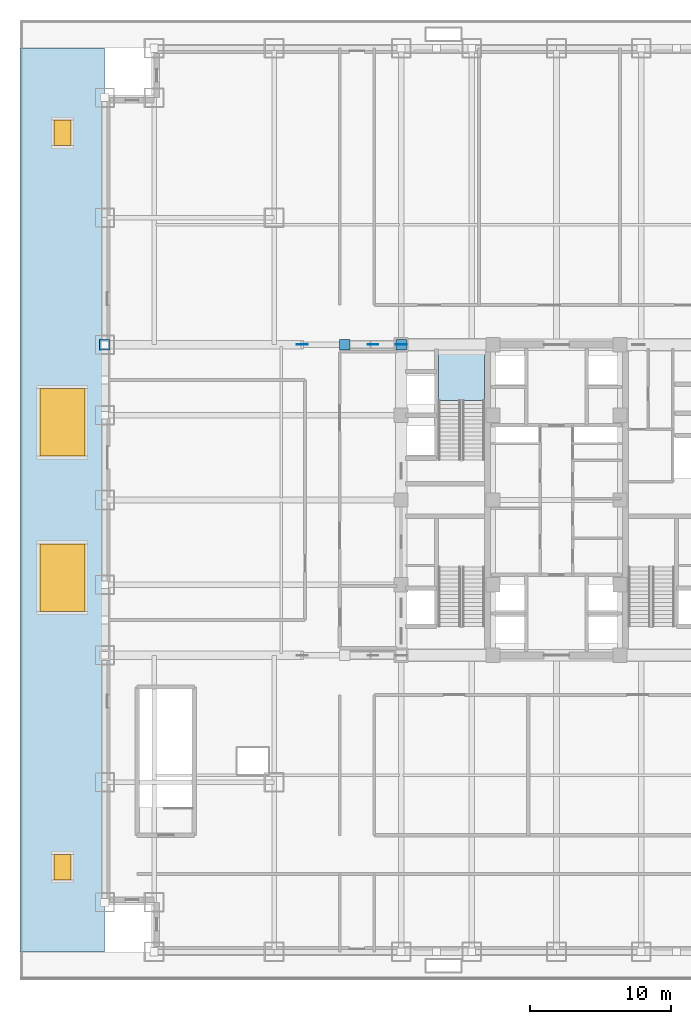
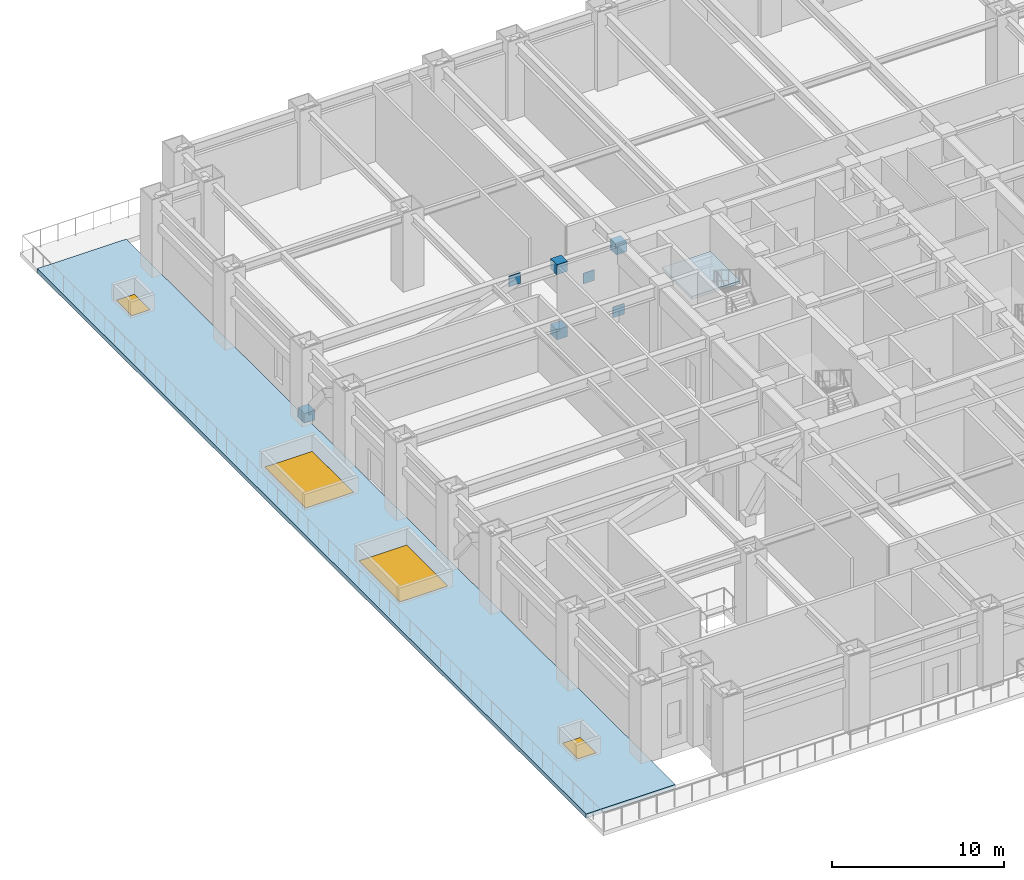
# One storey, part 7 of 21: 7 plates, 2 doors, 2 slabs, 2 windows, 4 openings, 1 element without a shape of its own.
"""IFC4 building model written with IfcOpenShell, lengths in metres."""

from ifc_helpers import new_model, si_unit, direction, frame, origin, origin_2d, place, context, subcontext, project, spatial, polyline, rectangle, outline, extrude, source, transform, mapped, material, layer, layer_set, type_object, element, fill, aggregate, save


model = new_model("IFC4")

# Units and contexts
model_context = context("Model", 3, precision=1e-05, world=origin(), true_north=direction((0.0, 1.0)))
body_context = subcontext(model_context, "Body", "Model", "MODEL_VIEW")
ifc_project = project(units=[si_unit("LENGTHUNIT", "METRE"), si_unit("AREAUNIT", "SQUARE_METRE"), si_unit("VOLUMEUNIT", "CUBIC_METRE"), si_unit("PLANEANGLEUNIT", "RADIAN"), si_unit("MASSUNIT", "GRAM", prefix="KILO")], contexts=[model_context])

# Site, building, storey
site_placement = place(None, origin())
site = spatial("IfcSite", under=ifc_project, at=site_placement, CompositionType="ELEMENT")
building_placement = place(site_placement, origin())
building = spatial("IfcBuilding", under=site, at=building_placement, Name="Khorayat Bourse Tower", CompositionType="ELEMENT")
storey_placement = place(building_placement, frame((0.0, 0.0, 27.0)))
storey = spatial("IfcBuildingStorey", under=building, at=storey_placement, Name="L05", CompositionType="ELEMENT", Elevation=27.0)

# Stair, slab
ifc_material_1 = material(Name="Concrete C40/50", Category="concrete")
stair_type = type_object("IfcStairType", Name="STR-CORE-1550", PredefinedType="HALF_TURN_STAIR", material=ifc_material_1)
stair_placement = place(storey_placement, origin())
stair = element("IfcStair", 1, at=stair_placement, inside=storey, type_object=stair_type, Name="L05 Exit Stair ST-2", PredefinedType="HALF_TURN_STAIR")
ifc_layer_1 = layer(ifc_material_1, 0.199951171875)
ifc_layer_set_1 = layer_set([ifc_layer_1], Name="Concrete C40/50")
slab_type_1 = type_object("IfcSlabType", Name="SLB-LANDING-200", PredefinedType="LANDING", material=ifc_layer_set_1)
slab_1_placement = place(storey_placement, frame((0.0, 0.0, 2.60009765625)))
slab_1 = element("IfcSlab", 2, at=slab_1_placement, type_object=slab_type_1, Name="ST-2 landing 1", PredefinedType="LANDING", context=body_context, shape_type="SweptSolid", body=[
    extrude(outline(polyline([(-5.10009765625, 7.050048828125), (-5.10009765625, 10.5), (-8.35009765625, 10.5), (-8.35009765625, 7.050048828125), (-5.10009765625, 7.050048828125)])), origin(), (0.0, 0.0, 1.0), 0.199951171875),
])
aggregate(stair, [slab_1])

# Slab, openings, doors, windows
ifc_layer_2 = layer(ifc_material_1, 0.300048828125)
ifc_layer_set_2 = layer_set([ifc_layer_2], Name="Concrete C40/50")
slab_type_2 = type_object("IfcSlabType", Name="SLB-TERR-300", PredefinedType="FLOOR", material=ifc_layer_set_2)
slab_2_placement = place(storey_placement, frame((0.0, 0.0, -0.25)))
slab_2 = element("IfcSlab", 3, at=slab_2_placement, inside=storey, type_object=slab_type_2, Name="L05 Planted Garden Terrace Slab 03", PredefinedType="FLOOR", context=body_context, shape_type="SweptSolid", body=[
    extrude(outline(polyline([(-38.0, -32.0), (-32.0, -32.0), (-32.0, 32.0), (-38.0, 32.0), (-38.0, -32.0)]), holes=[polyline([(-36.60009765625, -7.89990234375), (-33.39990234375, -7.89990234375), (-33.39990234375, -3.10009765625), (-36.60009765625, -3.10009765625), (-36.60009765625, -7.89990234375)]), polyline([(-36.60009765625, 3.10009765625), (-33.39990234375, 3.10009765625), (-33.39990234375, 7.89990234375), (-36.60009765625, 7.89990234375), (-36.60009765625, 3.10009765625)]), polyline([(-35.60009765625, -26.89990234375), (-34.39990234375, -26.89990234375), (-34.39990234375, -25.10009765625), (-35.60009765625, -25.10009765625), (-35.60009765625, -26.89990234375)]), polyline([(-35.60009765625, 25.10009765625), (-34.39990234375, 25.10009765625), (-34.39990234375, 26.89990234375), (-35.60009765625, 26.89990234375), (-35.60009765625, 25.10009765625)])]), origin(), (0.0, 0.0, 1.0), 0.300048828125),
])
opening_1_placement = place(slab_2_placement, frame((-35.0, -26.0, 0.0)))
opening_1 = element("IfcOpeningElement", 4, at=opening_1_placement, cuts=slab_2, Name="Opening RH-01", PredefinedType="OPENING", context=body_context, shape_type="SweptSolid", body=[
    extrude(rectangle(XDim=1.199951171875, YDim=1.800048828125, at=origin_2d()), origin(), (0.0, 0.0, 1.0), 0.300048828125),
])
opening_2_placement = place(slab_2_placement, frame((-35.0, 26.0, 0.0)))
opening_2 = element("IfcOpeningElement", 5, at=opening_2_placement, cuts=slab_2, Name="Opening RH-01", PredefinedType="OPENING", context=body_context, shape_type="SweptSolid", body=[
    extrude(rectangle(XDim=1.199951171875, YDim=1.800048828125, at=origin_2d()), origin(), (0.0, 0.0, 1.0), 0.300048828125),
])
opening_3_placement = place(slab_2_placement, frame((-35.0, -5.5, 0.0)))
opening_3 = element("IfcOpeningElement", 6, at=opening_3_placement, cuts=slab_2, Name="Opening SK-01", PredefinedType="OPENING", context=body_context, shape_type="SweptSolid", body=[
    extrude(rectangle(XDim=3.199951171875, YDim=4.800048828125, at=origin_2d()), origin(), (0.0, 0.0, 1.0), 0.300048828125),
])
opening_4_placement = place(slab_2_placement, frame((-35.0, 5.5, 0.0)))
opening_4 = element("IfcOpeningElement", 7, at=opening_4_placement, cuts=slab_2, Name="Opening SK-01", PredefinedType="OPENING", context=body_context, shape_type="SweptSolid", body=[
    extrude(rectangle(XDim=3.199951171875, YDim=4.800048828125, at=origin_2d()), origin(), (0.0, 0.0, 1.0), 0.300048828125),
])
ifc_material_2 = material(Name="Thermally insulated aluminium roof hatch", Category="aluminium")
door_type = type_object("IfcDoorType", Name="DR-HATCH-ROOF", OperationType="NOTDEFINED", PredefinedType="TRAPDOOR", material=ifc_material_2)
door_1_placement = place(opening_1_placement, frame((0.0, 0.0, 0.25)))
door_1 = element("IfcDoor", 8, at=door_1_placement, inside=storey, type_object=door_type, Name="L05 Maintenance Access Hatch HT-ST1", OperationType="SINGLE_SWING_LEFT", OverallHeight=1.800048828125, OverallWidth=1.199951171875, PredefinedType="TRAPDOOR", context=body_context, shape_type="SweptSolid", body=[
    extrude(rectangle(XDim=1.199951171875, YDim=1.800048828125, at=origin_2d()), origin(), (0.0, 0.0, 1.0), 0.050048828125),
])
fill(opening_1, door_1)
door_2_placement = place(opening_2_placement, frame((0.0, 0.0, 0.25)))
door_2 = element("IfcDoor", 9, at=door_2_placement, inside=storey, type_object=door_type, Name="L05 Maintenance Access Hatch HT-ST2", OperationType="SINGLE_SWING_LEFT", OverallHeight=1.800048828125, OverallWidth=1.199951171875, PredefinedType="TRAPDOOR", context=body_context, shape_type="SweptSolid", body=[
    extrude(rectangle(XDim=1.199951171875, YDim=1.800048828125, at=origin_2d()), origin(), (0.0, 0.0, 1.0), 0.050048828125),
])
fill(opening_2, door_2)
ifc_material_3 = material(Name="Ceramic-fritted insulated rooflight glass", Category="glass")
window_type = type_object("IfcWindowType", Name="SKY-POD-3200x4800", PartitioningType="SINGLE_PANEL", PredefinedType="SKYLIGHT", material=ifc_material_3)
window_1_placement = place(opening_3_placement, frame((0.0, 0.0, 0.25)))
window_1 = element("IfcWindow", 10, at=window_1_placement, inside=storey, type_object=window_type, Name="L05 Roof Lantern Skylight SKY-L05-W", OverallHeight=4.800048828125, OverallWidth=3.199951171875, PartitioningType="SINGLE_PANEL", PredefinedType="SKYLIGHT", context=body_context, shape_type="SweptSolid", body=[
    extrude(rectangle(XDim=3.199951171875, YDim=4.800048828125, at=origin_2d()), origin(), (0.0, 0.0, 1.0), 0.050048828125),
])
fill(opening_3, window_1)
window_2_placement = place(opening_4_placement, frame((0.0, 0.0, 0.25)))
window_2 = element("IfcWindow", 11, at=window_2_placement, inside=storey, type_object=window_type, Name="L05 Roof Lantern Skylight SKY-L05-N", OverallHeight=4.800048828125, OverallWidth=3.199951171875, PartitioningType="SINGLE_PANEL", PredefinedType="SKYLIGHT", context=body_context, shape_type="SweptSolid", body=[
    extrude(rectangle(XDim=3.199951171875, YDim=4.800048828125, at=origin_2d()), origin(), (0.0, 0.0, 1.0), 0.050048828125),
])
fill(opening_4, window_2)

# Plates
ifc_material_4 = material(Name="Steel EN 10025-4 S460M", Category="steel")
ifc_layer_3 = layer(ifc_material_4, 0.0400390625)
ifc_layer_set_3 = layer_set([ifc_layer_3], Name="Steel EN 10025-4 S460M")
plate_type_1 = type_object("IfcPlateType", Name="PLT-GUSSET-40", PredefinedType="USERDEFINED", material=ifc_layer_set_3)
shared_shape_1 = source(origin(), body_context, "Body", "SweptSolid", [
    extrude(rectangle(XDim=0.760009765625, YDim=0.0400390625, at=origin_2d()), origin(), (0.0, 0.0, 1.0), 0.760009765625),
])
for number, where, z_axis, x_axis, name in (
    (12, (-11.0, 11.0, -0.02978515625), (0.0, 0.0, 1.0), (1.0, 0.0, 0.0), "L05 Outrigger Node Gusset Plate 08"),
    (13, (-18.0, 11.0, 4.60986328125), (0.0, 0.0, 1.0), (1.0, 0.0, 0.0), "L05 Outrigger Node Gusset Plate 10"),
    (14, (-13.0, 11.0, 3.06982421875), (0.0, 0.0, 1.0), (1.0, 0.0, 0.0), "L05 Outrigger X-Crossing Central Gusset Plate 12"),
):
    element("IfcPlate", number, at=place(storey_placement, frame(where, z_axis=z_axis, x_axis=x_axis)), inside=storey, type_object=plate_type_1, Name=name, ObjectType="GUSSET PLATE", PredefinedType="USERDEFINED", context=body_context, shape_type="MappedRepresentation", body=[
        mapped(shared_shape_1, transform((0.0, 0.0, 0.0), scale=1.0)),
    ])
ifc_layer_4 = layer(ifc_material_4, 0.031982421875)
ifc_layer_set_4 = layer_set([ifc_layer_4], Name="Steel EN 10025-4 S460M")
plate_type_2 = type_object("IfcPlateType", Name="PLT-GUSSET-32", PredefinedType="USERDEFINED", material=ifc_layer_set_4)
shared_shape_2 = source(origin(), body_context, "Body", "SweptSolid", [
    extrude(rectangle(XDim=0.719970703125, YDim=0.719970703125, at=origin_2d()), origin(), (0.0, 0.0, 1.0), 0.719970703125),
])
for number, where, z_axis, x_axis, name in (
    (15, (-15.0, 11.0, 4.6298828125), (0.0, 0.0, 1.0), (1.0, 0.0, 0.0), "L05 Outrigger Node Gusset Plate 09"),
    (16, (-32.0, 11.0, -0.009765625), (0.0, 0.0, 1.0), (1.0, 0.0, 0.0), "L05 Outrigger Node Gusset Plate 11"),
    (17, (-11.0, 11.0, 4.6298828125), (0.0, 0.0, 1.0), (1.0, 0.0, 0.0), "L05 Belt Web Sealed Node Block 13"),
    (18, (-15.0, 11.0, -0.009765625), (0.0, 0.0, 1.0), (1.0, 0.0, 0.0), "L05 Belt Web Sealed Node Block 14"),
):
    element("IfcPlate", number, at=place(storey_placement, frame(where, z_axis=z_axis, x_axis=x_axis)), inside=storey, type_object=plate_type_2, Name=name, ObjectType="GUSSET PLATE", PredefinedType="USERDEFINED", context=body_context, shape_type="MappedRepresentation", body=[
        mapped(shared_shape_2, transform((0.0, 0.0, 0.0), scale=1.0)),
    ])

save(model, "model.ifc")
